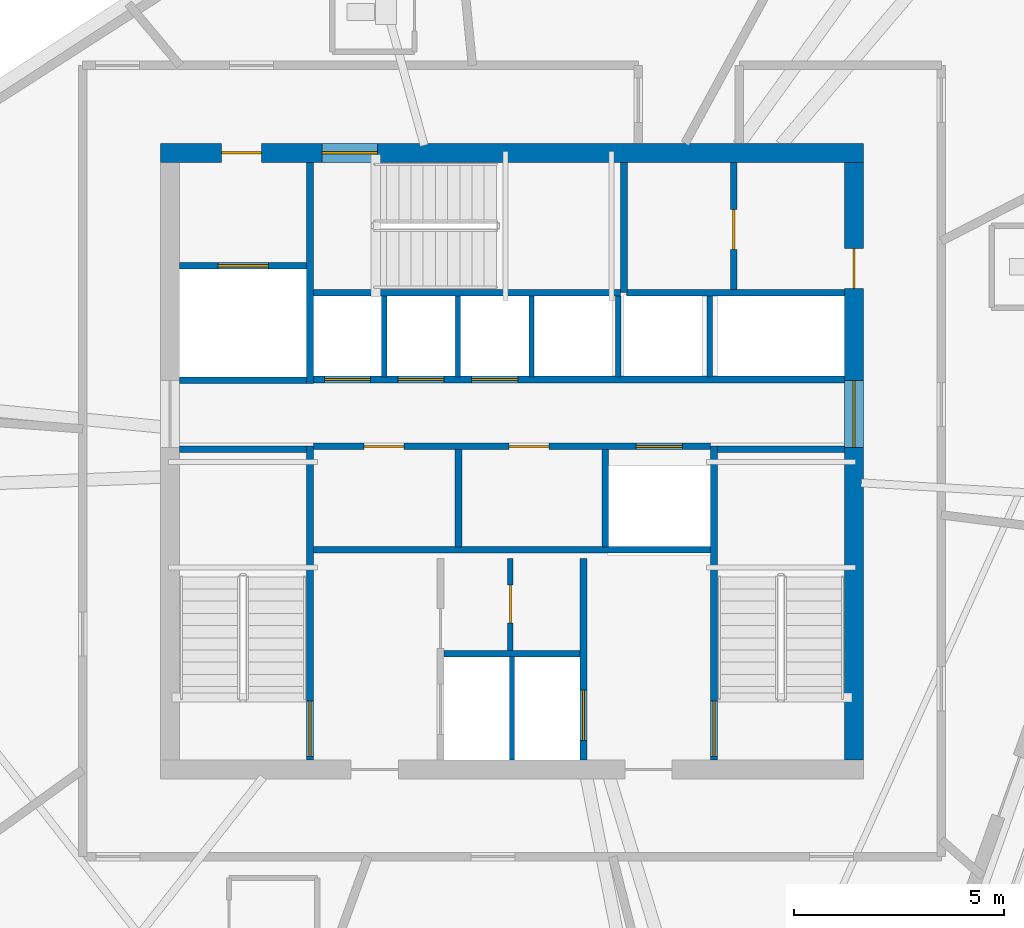
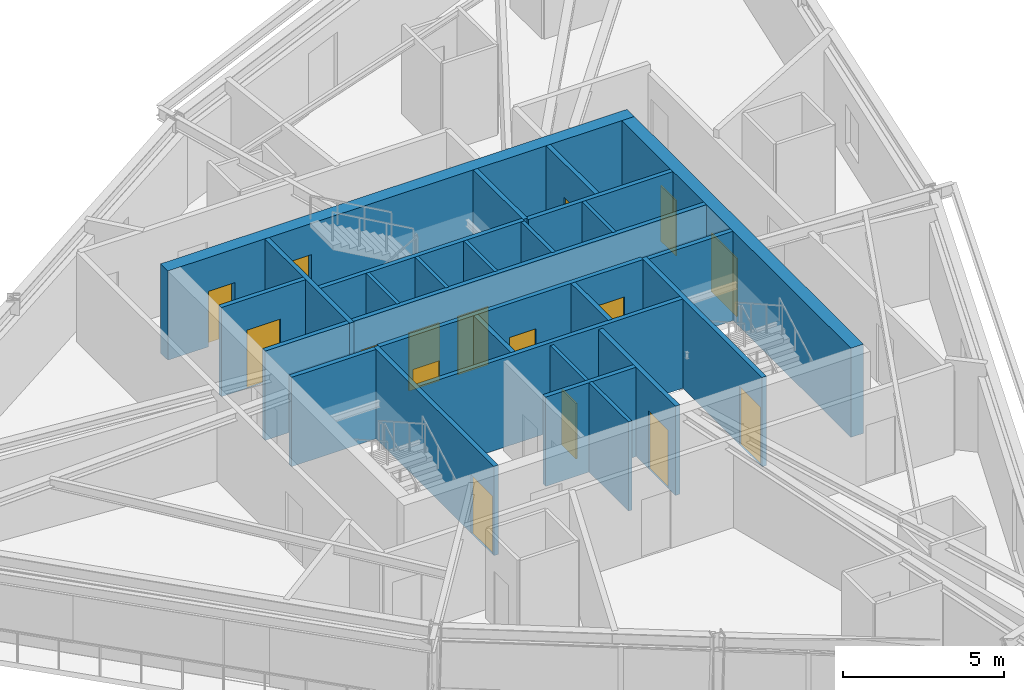
# One storey, part 9 of 15: 27 walls, 16 doors, 16 openings.
"""IFC4 building model written with IfcOpenShell, lengths in metres."""

from ifc_helpers import new_model, si_unit, direction, frame, frame_2d, origin, place, context, subcontext, project, spatial, rectangle, extrude, source, transform, mapped, material, layer, layer_set, type_object, type_shapes, element, fill, save


model = new_model("IFC4")

# Units and contexts
model_context = context("Model", 3, precision=1e-05, world=origin(), true_north=direction((0.0, 1.0)))
body_context = subcontext(model_context, "Body", "Model", "MODEL_VIEW")
ifc_project = project(units=[si_unit("LENGTHUNIT", "METRE"), si_unit("AREAUNIT", "SQUARE_METRE"), si_unit("VOLUMEUNIT", "CUBIC_METRE"), si_unit("PLANEANGLEUNIT", "RADIAN"), si_unit("MASSUNIT", "GRAM", prefix="KILO")], contexts=[model_context])

# Site, building, storey
site_placement = place(None, origin())
site = spatial("IfcSite", under=ifc_project, at=site_placement, CompositionType="ELEMENT")
building_placement = place(site_placement, origin())
building = spatial("IfcBuilding", under=site, at=building_placement, Name="Olszyna Solenne Hotel", CompositionType="ELEMENT")
storey_placement = place(building_placement, frame((0.0, 0.0, 245.300048828125)))
storey = spatial("IfcBuildingStorey", under=building, at=storey_placement, Name="L65", CompositionType="ELEMENT", Elevation=245.300048828125)

# Wall, openings, doors
ifc_material_1 = material(Name="Concrete C50/60", Category="concrete")
ifc_layer_1 = layer(ifc_material_1, 0.449951171875, Name="Concrete C50/60")
ifc_layer_set_1 = layer_set([ifc_layer_1], Name="Concrete C50/60")
wall_type_1 = type_object("IfcWallType", Name="WL-CR450", PredefinedType="SHEAR", material=ifc_layer_set_1)
wall_1_placement = place(storey_placement, frame((29.64990234375, 33.925048828125, 0.0), z_axis=(0.0, 0.0, 1.0), x_axis=(1.0, 0.0, 0.0)))
wall_1 = element("IfcWall", 1, at=wall_1_placement, inside=storey, type_object=wall_type_1, Name="Core shear wall WL-CR450 CRW-L65-N", PredefinedType="SHEAR", context=body_context, shape_type="SweptSolid", body=[
    extrude(rectangle(XDim=16.7001953125, YDim=0.449951171875, at=frame_2d((8.35009765625, 0.0))), origin(), (0.0, 0.0, 1.0), 3.3798828125),
])
opening_1_placement = place(wall_1_placement, frame((1.449951171875, 0.0, 0.0)))
opening_1 = element("IfcOpeningElement", 2, at=opening_1_placement, cuts=wall_1, Name="Opening SVD-L65-01", PredefinedType="OPENING", context=body_context, shape_type="SweptSolid", body=[
    extrude(rectangle(XDim=0.949951171875, YDim=2.10009765625, at=frame_2d((0.47509765625, 1.050048828125))), frame((0.0, 0.23486328125, 0.0), z_axis=(0.0, -1.0, 0.0), x_axis=(1.0, 0.0, 0.0)), (0.0, 0.0, 1.0), 0.469970703125),
])
opening_2_placement = place(wall_1_placement, frame((3.830078125, 0.0, 0.0)))
opening_2 = element("IfcOpeningElement", 3, at=opening_2_placement, cuts=wall_1, Name="Opening STD-L65-03", PredefinedType="OPENING", context=body_context, shape_type="SweptSolid", body=[
    extrude(rectangle(XDim=1.320068359375, YDim=2.199951171875, at=frame_2d((0.66015625, 1.10009765625))), frame((0.0, 0.23486328125, 0.0), z_axis=(0.0, -1.0, 0.0), x_axis=(1.0, 0.0, 0.0)), (0.0, 0.0, 1.0), 0.469970703125),
])
ifc_material_2 = material(Name="Steel S355J2", Category="steel")
door_type_1 = type_object("IfcDoorType", Name="DR-ST1", OperationType="NOTDEFINED", PredefinedType="DOOR", material=ifc_material_2)
shared_shape_1 = source(origin(), body_context, "Body", "SweptSolid", [
    extrude(rectangle(XDim=1.320068359375, YDim=2.199951171875, at=frame_2d((0.66015625, 1.10009765625))), frame((0.0, 0.02490234375, 0.0), z_axis=(0.0, -1.0, 0.0), x_axis=(1.0, 0.0, 0.0)), (0.0, 0.0, 1.0), 0.050048828125),
])
type_shapes(door_type_1, [shared_shape_1])
door_1_placement = place(opening_2_placement, origin())
door_1 = element("IfcDoor", 4, at=door_1_placement, inside=storey, type_object=door_type_1, Name="Pressurised exit stair ST3 fire door STD-L65-03", OperationType="SINGLE_SWING_RIGHT", OverallHeight=2.199951171875, OverallWidth=1.320068359375, PredefinedType="DOOR", context=body_context, shape_type="MappedRepresentation", body=[
    mapped(shared_shape_1, transform((0.0, 0.0, 0.0), x_axis=(1.0, 0.0, 0.0), y_axis=(0.0, 1.0, 0.0), z_axis=(0.0, 0.0, 1.0), scale=1.0)),
])
fill(opening_2, door_1)
door_type_2 = type_object("IfcDoorType", Name="DR-SV1", OperationType="NOTDEFINED", PredefinedType="DOOR", material=ifc_material_2)
shared_shape_2 = source(origin(), body_context, "Body", "SweptSolid", [
    extrude(rectangle(XDim=0.949951171875, YDim=2.10009765625, at=frame_2d((0.47509765625, 1.050048828125))), frame((0.0, 0.02490234375, 0.0), z_axis=(0.0, -1.0, 0.0), x_axis=(1.0, 0.0, 0.0)), (0.0, 0.0, 1.0), 0.050048828125),
])
type_shapes(door_type_2, [shared_shape_2])
door_2_placement = place(opening_1_placement, origin())
door_2 = element("IfcDoor", 5, at=door_2_placement, inside=storey, type_object=door_type_2, Name="Service lift lobby fire door SVD-L65-01", OperationType="SINGLE_SWING_LEFT", OverallHeight=2.10009765625, OverallWidth=0.949951171875, PredefinedType="DOOR", context=body_context, shape_type="MappedRepresentation", body=[
    mapped(shared_shape_2, transform((0.0, 0.0, 0.0), x_axis=(1.0, 0.0, 0.0), y_axis=(0.0, 1.0, 0.0), z_axis=(0.0, 0.0, 1.0), scale=1.0)),
])
fill(opening_1, door_2)

wall_2_placement = place(storey_placement, frame((46.125, 33.699951171875, 0.0), z_axis=(0.0, 0.0, 1.0), x_axis=(0.0, -1.0, 0.0)))
wall_2 = element("IfcWall", 6, at=wall_2_placement, inside=storey, type_object=wall_type_1, Name="Core shear wall WL-CR450 CRW-L65-E", PredefinedType="SHEAR", context=body_context, shape_type="SweptSolid", body=[
    extrude(rectangle(XDim=14.199951171875, YDim=0.449951171875, at=frame_2d((7.10009765625, 0.0))), origin(), (0.0, 0.0, 1.0), 3.3798828125),
])
opening_3_placement = place(wall_2_placement, frame((5.179931640625, 0.0, 0.0)))
opening_3 = element("IfcOpeningElement", 7, at=opening_3_placement, cuts=wall_2, Name="Opening LHD-L65-E", PredefinedType="OPENING", context=body_context, shape_type="SweptSolid", body=[
    extrude(rectangle(XDim=1.60009765625, YDim=2.199951171875, at=frame_2d((0.800048828125, 1.10009765625))), frame((0.0, 0.23486328125, 0.0), z_axis=(0.0, -1.0, 0.0), x_axis=(1.0, 0.0, 0.0)), (0.0, 0.0, 1.0), 0.469970703125),
])
opening_4_placement = place(wall_2_placement, frame((2.050048828125, 0.0, 0.0)))
opening_4 = element("IfcOpeningElement", 8, at=opening_4_placement, cuts=wall_2, Name="Opening SVD-L65-BE", PredefinedType="OPENING", context=body_context, shape_type="SweptSolid", body=[
    extrude(rectangle(XDim=0.949951171875, YDim=2.10009765625, at=frame_2d((0.47509765625, 1.050048828125))), frame((0.0, 0.23486328125, 0.0), z_axis=(0.0, -1.0, 0.0), x_axis=(1.0, 0.0, 0.0)), (0.0, 0.0, 1.0), 0.469970703125),
])
door_3_placement = place(opening_4_placement, origin())
door_3 = element("IfcDoor", 9, at=door_3_placement, inside=storey, type_object=door_type_2, Name="Housekeeping core fire door SVD-L65-BE", OperationType="SINGLE_SWING_RIGHT", OverallHeight=2.10009765625, OverallWidth=0.949951171875, PredefinedType="DOOR", context=body_context, shape_type="MappedRepresentation", body=[
    mapped(shared_shape_2, transform((0.0, 0.0, 0.0), x_axis=(1.0, 0.0, 0.0), y_axis=(0.0, 1.0, 0.0), z_axis=(0.0, 0.0, 1.0), scale=1.0)),
])
fill(opening_4, door_3)
ifc_material_3 = material(Name="Timber hardwood", Category="wood")
door_type_3 = type_object("IfcDoorType", Name="DR-CR1", OperationType="DOUBLE_DOOR_SINGLE_SWING", PredefinedType="DOOR", material=ifc_material_3)
shared_shape_3 = source(origin(), body_context, "Body", "SweptSolid", [
    extrude(rectangle(XDim=1.60009765625, YDim=2.199951171875, at=frame_2d((0.800048828125, 1.10009765625))), frame((0.0, 0.02490234375, 0.0), z_axis=(0.0, -1.0, 0.0), x_axis=(1.0, 0.0, 0.0)), (0.0, 0.0, 1.0), 0.050048828125),
])
type_shapes(door_type_3, [shared_shape_3])
door_4_placement = place(opening_3_placement, origin())
door_4 = element("IfcDoor", 10, at=door_4_placement, inside=storey, type_object=door_type_3, Name="Passenger lift lobby East fire door LHD-L65-E", OperationType="DOUBLE_DOOR_SINGLE_SWING", OverallHeight=2.199951171875, OverallWidth=1.60009765625, PredefinedType="DOOR", context=body_context, shape_type="MappedRepresentation", body=[
    mapped(shared_shape_3, transform((0.0, 0.0, 0.0), x_axis=(1.0, 0.0, 0.0), y_axis=(0.0, 1.0, 0.0), z_axis=(0.0, 0.0, 1.0), scale=1.0)),
])
fill(opening_3, door_4)

# Wall
ifc_material_4 = material(Name="Acoustic gypsum partition", Category="gypsum")
ifc_layer_2 = layer(ifc_material_4, 0.125, Name="Acoustic gypsum partition")
ifc_layer_set_2 = layer_set([ifc_layer_2], Name="Acoustic gypsum partition")
wall_type_2 = type_object("IfcWallType", Name="WL-PT125", PredefinedType="PARTITIONING", material=ifc_layer_set_2)
wall_3_placement = place(storey_placement, frame((38.0, 19.5, 0.0), z_axis=(0.0, 0.0, 1.0), x_axis=(0.0, 1.0, 0.0)))
element("IfcWall", 11, at=wall_3_placement, inside=storey, type_object=wall_type_2, Name="Core shaft compartment wall CW-L65-FFM", PredefinedType="PARTITIONING", context=body_context, shape_type="SweptSolid", body=[
    extrude(rectangle(XDim=2.4599609375, YDim=0.125, at=frame_2d((1.22998046875, 0.0))), origin(), (0.0, 0.0, 1.0), 3.3798828125),
])

# Wall, opening, door
wall_4_placement = place(storey_placement, frame((37.9599609375, 22.10009765625, 0.0), z_axis=(0.0, 0.0, 1.0), x_axis=(0.0, 1.0, 0.0)))
wall_4 = element("IfcWall", 12, at=wall_4_placement, inside=storey, type_object=wall_type_2, Name="Core shaft compartment wall CW-L65-SC1", PredefinedType="PARTITIONING", context=body_context, shape_type="SweptSolid", body=[
    extrude(rectangle(XDim=2.179931640625, YDim=0.125, at=frame_2d((1.08984375, 0.0))), origin(), (0.0, 0.0, 1.0), 3.3798828125),
])
opening_5_placement = place(wall_4_placement, frame((0.64990234375, 0.0, 0.0)))
opening_5 = element("IfcOpeningElement", 13, at=opening_5_placement, cuts=wall_4, Name="Opening SVD-L65-SC1", PredefinedType="OPENING", context=body_context, shape_type="SweptSolid", body=[
    extrude(rectangle(XDim=0.89990234375, YDim=2.10009765625, at=frame_2d((0.449951171875, 1.050048828125))), frame((0.0, 0.072509765625, 0.0), z_axis=(0.0, -1.0, 0.0), x_axis=(1.0, 0.0, 0.0)), (0.0, 0.0, 1.0), 0.14501953125),
])
door_type_4 = type_object("IfcDoorType", Name="DR-WC1", OperationType="NOTDEFINED", PredefinedType="DOOR", material=ifc_material_3)
shared_shape_4 = source(origin(), body_context, "Body", "SweptSolid", [
    extrude(rectangle(XDim=0.89990234375, YDim=2.10009765625, at=frame_2d((0.449951171875, 1.050048828125))), frame((0.0, 0.02490234375, 0.0), z_axis=(0.0, -1.0, 0.0), x_axis=(1.0, 0.0, 0.0)), (0.0, 0.0, 1.0), 0.050048828125),
])
type_shapes(door_type_4, [shared_shape_4])
door_5_placement = place(opening_5_placement, origin())
door_5 = element("IfcDoor", 14, at=door_5_placement, inside=storey, type_object=door_type_4, Name="Pantry locker door SVD-L65-SC1", OperationType="SINGLE_SWING_LEFT", OverallHeight=2.10009765625, OverallWidth=0.89990234375, PredefinedType="DOOR", context=body_context, shape_type="MappedRepresentation", body=[
    mapped(shared_shape_4, transform((0.0, 0.0, 0.0), x_axis=(1.0, 0.0, 0.0), y_axis=(0.0, 1.0, 0.0), z_axis=(0.0, 0.0, 1.0), scale=1.0)),
])
fill(opening_5, door_5)

# Walls
for number, where, z_axis, x_axis, name in (
    (15, (34.965087890625, 28.60009765625, 0.0), (0.0, 0.0, 1.0), (0.0, 1.0, 0.0), "Core shaft compartment wall CW-L65-DIVN349"),
    (16, (36.715087890625, 28.60009765625, 0.0), (0.0, 0.0, 1.0), (0.0, 1.0, 0.0), "Core shaft compartment wall CW-L65-DIVN367"),
    (17, (38.465087890625, 28.60009765625, 0.0), (0.0, 0.0, 1.0), (0.0, 1.0, 0.0), "Core shaft compartment wall CW-L65-DIVN384"),
    (18, (40.52490234375, 28.60009765625, 0.0), (0.0, 0.0, 1.0), (0.0, 1.0, 0.0), "Core shaft compartment wall CW-L65-DIVEX405"),
    (19, (42.699951171875, 28.60009765625, 0.0), (0.0, 0.0, 1.0), (0.0, 1.0, 0.0), "Core shaft compartment wall CW-L65-DIVEX427"),
):
    element("IfcWall", number, at=place(storey_placement, frame(where, z_axis=z_axis, x_axis=x_axis)), inside=storey, type_object=wall_type_2, Name=name, PredefinedType="PARTITIONING", context=body_context, shape_type="SweptSolid", body=[
        extrude(rectangle(XDim=1.919921875, YDim=0.125, at=frame_2d((0.9599609375, 0.0))), origin(), (0.0, 0.0, 1.0), 3.3798828125),
    ])

# Wall, opening, door
ifc_layer_3 = layer(ifc_material_4, 0.159912109375, Name="Acoustic gypsum partition")
ifc_layer_set_3 = layer_set([ifc_layer_3], Name="Acoustic gypsum partition")
wall_type_3 = type_object("IfcWallType", Name="WL-PT160", PredefinedType="PARTITIONING", material=ifc_layer_set_3)
wall_5_placement = place(storey_placement, frame((33.199951171875, 19.5, 0.0), z_axis=(0.0, 0.0, 1.0), x_axis=(0.0, 1.0, 0.0)))
wall_5 = element("IfcWall", 20, at=wall_5_placement, inside=storey, type_object=wall_type_3, Name="Core shaft compartment wall CW-L65-ST1E", PredefinedType="PARTITIONING", context=body_context, shape_type="SweptSolid", body=[
    extrude(rectangle(XDim=7.4599609375, YDim=0.159912109375, at=frame_2d((3.72998046875, 0.0))), origin(), (0.0, 0.0, 1.0), 3.3798828125),
])
opening_6_placement = place(wall_5_placement, frame((0.080078125, 0.0, 0.0)))
opening_6 = element("IfcOpeningElement", 21, at=opening_6_placement, cuts=wall_5, Name="Opening STD-L65-01", PredefinedType="OPENING", context=body_context, shape_type="SweptSolid", body=[
    extrude(rectangle(XDim=1.320068359375, YDim=2.199951171875, at=frame_2d((0.66015625, 1.10009765625))), frame((0.0, 0.08984375, 0.0), z_axis=(0.0, -1.0, 0.0), x_axis=(1.0, 0.0, 0.0)), (0.0, 0.0, 1.0), 0.179931640625),
])
door_6_placement = place(opening_6_placement, origin())
door_6 = element("IfcDoor", 22, at=door_6_placement, inside=storey, type_object=door_type_1, Name="Pressurised exit stair ST1 fire door STD-L65-01", OperationType="SINGLE_SWING_LEFT", OverallHeight=2.199951171875, OverallWidth=1.320068359375, PredefinedType="DOOR", context=body_context, shape_type="MappedRepresentation", body=[
    mapped(shared_shape_1, transform((0.0, 0.0, 0.0), x_axis=(1.0, 0.0, 0.0), y_axis=(0.0, 1.0, 0.0), z_axis=(0.0, 0.0, 1.0), scale=1.0)),
])
fill(opening_6, door_6)

# Wall
wall_6_placement = place(storey_placement, frame((30.10009765625, 26.8798828125, 0.0), z_axis=(0.0, 0.0, 1.0), x_axis=(1.0, 0.0, 0.0)))
element("IfcWall", 23, at=wall_6_placement, inside=storey, type_object=wall_type_3, Name="Core shaft compartment wall CW-L65-ST1N", PredefinedType="PARTITIONING", context=body_context, shape_type="SweptSolid", body=[
    extrude(rectangle(XDim=3.02001953125, YDim=0.159912109375, at=frame_2d((1.510009765625, 0.0))), origin(), (0.0, 0.0, 1.0), 3.3798828125),
])

# Wall, opening, door
wall_7_placement = place(storey_placement, frame((42.800048828125, 26.9599609375, 0.0), z_axis=(0.0, 0.0, 1.0), x_axis=(0.0, -1.0, 0.0)))
wall_7 = element("IfcWall", 24, at=wall_7_placement, inside=storey, type_object=wall_type_3, Name="Core shaft compartment wall CW-L65-ST2W", PredefinedType="PARTITIONING", context=body_context, shape_type="SweptSolid", body=[
    extrude(rectangle(XDim=7.4599609375, YDim=0.159912109375, at=frame_2d((3.72998046875, 0.0))), origin(), (0.0, 0.0, 1.0), 3.3798828125),
])
opening_7_placement = place(wall_7_placement, frame((6.06005859375, 0.0, 0.0)))
opening_7 = element("IfcOpeningElement", 25, at=opening_7_placement, cuts=wall_7, Name="Opening STD-L65-02", PredefinedType="OPENING", context=body_context, shape_type="SweptSolid", body=[
    extrude(rectangle(XDim=1.320068359375, YDim=2.199951171875, at=frame_2d((0.66015625, 1.10009765625))), frame((0.0, 0.08984375, 0.0), z_axis=(0.0, -1.0, 0.0), x_axis=(1.0, 0.0, 0.0)), (0.0, 0.0, 1.0), 0.179931640625),
])
door_7_placement = place(opening_7_placement, origin())
door_7 = element("IfcDoor", 26, at=door_7_placement, inside=storey, type_object=door_type_1, Name="Pressurised exit stair ST2 fire door STD-L65-02", OperationType="SINGLE_SWING_RIGHT", OverallHeight=2.199951171875, OverallWidth=1.320068359375, PredefinedType="DOOR", context=body_context, shape_type="MappedRepresentation", body=[
    mapped(shared_shape_1, transform((0.0, 0.0, 0.0), x_axis=(1.0, 0.0, 0.0), y_axis=(0.0, 1.0, 0.0), z_axis=(0.0, 0.0, 1.0), scale=1.0)),
])
fill(opening_7, door_7)

# Walls
wall_8_placement = place(storey_placement, frame((42.8798828125, 26.8798828125, 0.0), z_axis=(0.0, 0.0, 1.0), x_axis=(1.0, 0.0, 0.0)))
element("IfcWall", 27, at=wall_8_placement, inside=storey, type_object=wall_type_3, Name="Core shaft compartment wall CW-L65-ST2N", PredefinedType="PARTITIONING", context=body_context, shape_type="SweptSolid", body=[
    extrude(rectangle(XDim=3.02001953125, YDim=0.159912109375, at=frame_2d((1.510009765625, 0.0))), origin(), (0.0, 0.0, 1.0), 3.3798828125),
])
wall_9_placement = place(storey_placement, frame((33.280029296875, 30.60009765625, 0.0), z_axis=(0.0, 0.0, 1.0), x_axis=(1.0, 0.0, 0.0)))
element("IfcWall", 28, at=wall_9_placement, inside=storey, type_object=wall_type_3, Name="Core shaft compartment wall CW-L65-ST3S", PredefinedType="PARTITIONING", context=body_context, shape_type="SweptSolid", body=[
    extrude(rectangle(XDim=7.300048828125, YDim=0.159912109375, at=frame_2d((3.64990234375, 0.0))), origin(), (0.0, 0.0, 1.0), 3.3798828125),
])
wall_10_placement = place(storey_placement, frame((40.659912109375, 30.60009765625, 0.0), z_axis=(0.0, 0.0, 1.0), x_axis=(0.0, 1.0, 0.0)))
element("IfcWall", 29, at=wall_10_placement, inside=storey, type_object=wall_type_3, Name="Core shaft compartment wall CW-L65-ST3E", PredefinedType="PARTITIONING", context=body_context, shape_type="SweptSolid", body=[
    extrude(rectangle(XDim=3.099853515625, YDim=0.159912109375, at=frame_2d((1.5498046875, 0.0))), origin(), (0.0, 0.0, 1.0), 3.3798828125),
])

# Wall, opening, door
wall_11_placement = place(storey_placement, frame((39.699951171875, 24.280029296875, 0.0), z_axis=(0.0, 0.0, 1.0), x_axis=(0.0, -1.0, 0.0)))
wall_11 = element("IfcWall", 30, at=wall_11_placement, inside=storey, type_object=wall_type_3, Name="Core shaft compartment wall CW-L65-FF2E", PredefinedType="PARTITIONING", context=body_context, shape_type="SweptSolid", body=[
    extrude(rectangle(XDim=4.780029296875, YDim=0.159912109375, at=frame_2d((2.39013671875, 0.0))), origin(), (0.0, 0.0, 1.0), 3.3798828125),
])
opening_8_placement = place(wall_11_placement, frame((3.1201171875, 0.0, 0.0)))
opening_8 = element("IfcOpeningElement", 31, at=opening_8_placement, cuts=wall_11, Name="Opening LD-L65-FF2", PredefinedType="OPENING", context=body_context, shape_type="SweptSolid", body=[
    extrude(rectangle(XDim=1.199951171875, YDim=2.199951171875, at=frame_2d((0.60009765625, 1.10009765625))), frame((0.0, 0.08984375, 0.0), z_axis=(0.0, -1.0, 0.0), x_axis=(1.0, 0.0, 0.0)), (0.0, 0.0, 1.0), 0.179931640625),
])
door_type_5 = type_object("IfcDoorType", Name="LD-FF1", OperationType="DOUBLE_DOOR_SLIDING", PredefinedType="DOOR", material=ifc_material_2)
shared_shape_5 = source(origin(), body_context, "Body", "SweptSolid", [
    extrude(rectangle(XDim=1.199951171875, YDim=2.199951171875, at=frame_2d((0.60009765625, 1.10009765625))), frame((0.0, 0.02490234375, 0.0), z_axis=(0.0, -1.0, 0.0), x_axis=(1.0, 0.0, 0.0)), (0.0, 0.0, 1.0), 0.050048828125),
])
type_shapes(door_type_5, [shared_shape_5])
door_8_placement = place(opening_8_placement, origin())
door_8 = element("IfcDoor", 32, at=door_8_placement, inside=storey, type_object=door_type_5, Name="Firefighters lift FF2 sliding landing door LD-L65-FF2", OperationType="DOUBLE_DOOR_SLIDING", OverallHeight=2.199951171875, OverallWidth=1.199951171875, PredefinedType="DOOR", context=body_context, shape_type="MappedRepresentation", body=[
    mapped(shared_shape_5, transform((0.0, 0.0, 0.0), x_axis=(1.0, 0.0, 0.0), y_axis=(0.0, 1.0, 0.0), z_axis=(0.0, 0.0, 1.0), scale=1.0)),
])
fill(opening_8, door_8)

# Walls
wall_12_placement = place(storey_placement, frame((36.3798828125, 22.02001953125, 0.0), z_axis=(0.0, 0.0, 1.0), x_axis=(1.0, 0.0, 0.0)))
element("IfcWall", 33, at=wall_12_placement, inside=storey, type_object=wall_type_3, Name="Core shaft compartment wall CW-L65-FFN", PredefinedType="PARTITIONING", context=body_context, shape_type="SweptSolid", body=[
    extrude(rectangle(XDim=3.240234375, YDim=0.159912109375, at=frame_2d((1.6201171875, 0.0))), origin(), (0.0, 0.0, 1.0), 3.3798828125),
])
wall_13_placement = place(storey_placement, frame((33.280029296875, 24.489990234375, 0.0), z_axis=(0.0, 0.0, 1.0), x_axis=(1.0, 0.0, 0.0)))
element("IfcWall", 34, at=wall_13_placement, inside=storey, type_object=wall_type_3, Name="Core shaft compartment wall CW-L65-FFBN", PredefinedType="PARTITIONING", context=body_context, shape_type="SweptSolid", body=[
    extrude(rectangle(XDim=9.43994140625, YDim=0.159912109375, at=frame_2d((4.719970703125, 0.0))), origin(), (0.0, 0.0, 1.0), 3.3798828125),
])
wall_14_placement = place(storey_placement, frame((30.10009765625, 28.52001953125, 0.0), z_axis=(0.0, 0.0, 1.0), x_axis=(1.0, 0.0, 0.0)))
element("IfcWall", 35, at=wall_14_placement, inside=storey, type_object=wall_type_3, Name="Core shaft compartment wall CW-L65-SV1S", PredefinedType="PARTITIONING", context=body_context, shape_type="SweptSolid", body=[
    extrude(rectangle(XDim=3.02001953125, YDim=0.159912109375, at=frame_2d((1.510009765625, 0.0))), origin(), (0.0, 0.0, 1.0), 3.3798828125),
])
wall_15_placement = place(storey_placement, frame((33.199951171875, 28.43994140625, 0.0), z_axis=(0.0, 0.0, 1.0), x_axis=(0.0, 1.0, 0.0)))
element("IfcWall", 36, at=wall_15_placement, inside=storey, type_object=wall_type_3, Name="Core shaft compartment wall CW-L65-SV1E", PredefinedType="PARTITIONING", context=body_context, shape_type="SweptSolid", body=[
    extrude(rectangle(XDim=5.260009765625, YDim=0.159912109375, at=frame_2d((2.6298828125, 0.0))), origin(), (0.0, 0.0, 1.0), 3.3798828125),
])

# Wall, opening, door
wall_16_placement = place(storey_placement, frame((30.10009765625, 31.239990234375, 0.0), z_axis=(0.0, 0.0, 1.0), x_axis=(1.0, 0.0, 0.0)))
wall_16 = element("IfcWall", 37, at=wall_16_placement, inside=storey, type_object=wall_type_3, Name="Core shaft compartment wall CW-L65-SV1N", PredefinedType="PARTITIONING", context=body_context, shape_type="SweptSolid", body=[
    extrude(rectangle(XDim=3.02001953125, YDim=0.159912109375, at=frame_2d((1.510009765625, 0.0))), origin(), (0.0, 0.0, 1.0), 3.3798828125),
])
opening_9_placement = place(wall_16_placement, frame((0.909912109375, 0.0, 0.0)))
opening_9 = element("IfcOpeningElement", 38, at=opening_9_placement, cuts=wall_16, Name="Opening LD-L65-SV1", PredefinedType="OPENING", context=body_context, shape_type="SweptSolid", body=[
    extrude(rectangle(XDim=1.199951171875, YDim=2.199951171875, at=frame_2d((0.60009765625, 1.10009765625))), frame((0.0, 0.08984375, 0.0), z_axis=(0.0, -1.0, 0.0), x_axis=(1.0, 0.0, 0.0)), (0.0, 0.0, 1.0), 0.179931640625),
])
door_9_placement = place(opening_9_placement, origin())
door_9 = element("IfcDoor", 39, at=door_9_placement, inside=storey, type_object=door_type_5, Name="Service lift SV1 sliding landing door LD-L65-SV1", OperationType="DOUBLE_DOOR_SLIDING", OverallHeight=2.199951171875, OverallWidth=1.199951171875, PredefinedType="DOOR", context=body_context, shape_type="MappedRepresentation", body=[
    mapped(shared_shape_5, transform((0.0, 0.0, 0.0), x_axis=(1.0, 0.0, 0.0), y_axis=(0.0, 1.0, 0.0), z_axis=(0.0, 0.0, 1.0), scale=1.0)),
])
fill(opening_9, door_9)

# Wall, openings, doors
wall_17_placement = place(storey_placement, frame((33.280029296875, 26.949951171875, 0.0), z_axis=(0.0, 0.0, 1.0), x_axis=(1.0, 0.0, 0.0)))
wall_17 = element("IfcWall", 40, at=wall_17_placement, inside=storey, type_object=wall_type_3, Name="Core shaft compartment wall CW-L65-LRS", PredefinedType="PARTITIONING", context=body_context, shape_type="SweptSolid", body=[
    extrude(rectangle(XDim=9.43994140625, YDim=0.159912109375, at=frame_2d((4.719970703125, 0.0))), origin(), (0.0, 0.0, 1.0), 3.3798828125),
])
opening_10_placement = place(wall_17_placement, frame((1.199951171875, 0.0, 0.0)))
opening_10 = element("IfcOpeningElement", 41, at=opening_10_placement, cuts=wall_17, Name="Opening SVD-L65-L71", PredefinedType="OPENING", context=body_context, shape_type="SweptSolid", body=[
    extrude(rectangle(XDim=0.949951171875, YDim=2.10009765625, at=frame_2d((0.47509765625, 1.050048828125))), frame((0.0, 0.08984375, 0.0), z_axis=(0.0, -1.0, 0.0), x_axis=(1.0, 0.0, 0.0)), (0.0, 0.0, 1.0), 0.179931640625),
])
opening_11_placement = place(wall_17_placement, frame((4.64990234375, 0.0, 0.0)))
opening_11 = element("IfcOpeningElement", 42, at=opening_11_placement, cuts=wall_17, Name="Opening SVD-L65-L72", PredefinedType="OPENING", context=body_context, shape_type="SweptSolid", body=[
    extrude(rectangle(XDim=0.949951171875, YDim=2.10009765625, at=frame_2d((0.47509765625, 1.050048828125))), frame((0.0, 0.08984375, 0.0), z_axis=(0.0, -1.0, 0.0), x_axis=(1.0, 0.0, 0.0)), (0.0, 0.0, 1.0), 0.179931640625),
])
opening_12_placement = place(wall_17_placement, frame((7.669921875, 0.0, 0.0)))
opening_12 = element("IfcOpeningElement", 43, at=opening_12_placement, cuts=wall_17, Name="Opening LD-L65-PL5", PredefinedType="OPENING", context=body_context, shape_type="SweptSolid", body=[
    extrude(rectangle(XDim=1.10009765625, YDim=2.199951171875, at=frame_2d((0.550048828125, 1.10009765625))), frame((0.0, 0.08984375, 0.0), z_axis=(0.0, -1.0, 0.0), x_axis=(1.0, 0.0, 0.0)), (0.0, 0.0, 1.0), 0.179931640625),
])
door_10_placement = place(opening_10_placement, origin())
door_10 = element("IfcDoor", 44, at=door_10_placement, inside=storey, type_object=door_type_2, Name="Recaptured core room fire door SVD-L65-L71", OperationType="SINGLE_SWING_LEFT", OverallHeight=2.10009765625, OverallWidth=0.949951171875, PredefinedType="DOOR", context=body_context, shape_type="MappedRepresentation", body=[
    mapped(shared_shape_2, transform((0.0, 0.0, 0.0), x_axis=(1.0, 0.0, 0.0), y_axis=(0.0, 1.0, 0.0), z_axis=(0.0, 0.0, 1.0), scale=1.0)),
])
fill(opening_10, door_10)
door_11_placement = place(opening_11_placement, origin())
door_11 = element("IfcDoor", 45, at=door_11_placement, inside=storey, type_object=door_type_2, Name="Recaptured core room fire door SVD-L65-L72", OperationType="SINGLE_SWING_RIGHT", OverallHeight=2.10009765625, OverallWidth=0.949951171875, PredefinedType="DOOR", context=body_context, shape_type="MappedRepresentation", body=[
    mapped(shared_shape_2, transform((0.0, 0.0, 0.0), x_axis=(1.0, 0.0, 0.0), y_axis=(0.0, 1.0, 0.0), z_axis=(0.0, 0.0, 1.0), scale=1.0)),
])
fill(opening_11, door_11)
door_type_6 = type_object("IfcDoorType", Name="LD-P1", OperationType="DOUBLE_DOOR_SLIDING", PredefinedType="DOOR", material=ifc_material_2)
shared_shape_6 = source(origin(), body_context, "Body", "SweptSolid", [
    extrude(rectangle(XDim=1.10009765625, YDim=2.199951171875, at=frame_2d((0.550048828125, 1.10009765625))), frame((0.0, 0.02490234375, 0.0), z_axis=(0.0, -1.0, 0.0), x_axis=(1.0, 0.0, 0.0)), (0.0, 0.0, 1.0), 0.050048828125),
])
type_shapes(door_type_6, [shared_shape_6])
door_12_placement = place(opening_12_placement, origin())
door_12 = element("IfcDoor", 46, at=door_12_placement, inside=storey, type_object=door_type_6, Name="Passenger lift PL5 sliding landing door LD-L65-PL5", OperationType="DOUBLE_DOOR_SLIDING", OverallHeight=2.199951171875, OverallWidth=1.10009765625, PredefinedType="DOOR", context=body_context, shape_type="MappedRepresentation", body=[
    mapped(shared_shape_6, transform((0.0, 0.0, 0.0), x_axis=(1.0, 0.0, 0.0), y_axis=(0.0, 1.0, 0.0), z_axis=(0.0, 0.0, 1.0), scale=1.0)),
])
fill(opening_12, door_12)

# Walls
for number, where, z_axis, x_axis, name in (
    (47, (36.72998046875, 24.56005859375, 0.0), (0.0, 0.0, 1.0), (0.0, 1.0, 0.0), "Core shaft compartment wall CW-L65-LV7DIV1"),
    (48, (40.215087890625, 24.56005859375, 0.0), (0.0, 0.0, 1.0), (0.0, 1.0, 0.0), "Core shaft compartment wall CW-L65-LV7DIV2"),
):
    element("IfcWall", number, at=place(storey_placement, frame(where, z_axis=z_axis, x_axis=x_axis)), inside=storey, type_object=wall_type_3, Name=name, PredefinedType="PARTITIONING", context=body_context, shape_type="SweptSolid", body=[
        extrude(rectangle(XDim=2.31005859375, YDim=0.159912109375, at=frame_2d((1.155029296875, 0.0))), origin(), (0.0, 0.0, 1.0), 3.3798828125),
    ])

# Wall, openings, doors
wall_18_placement = place(storey_placement, frame((33.280029296875, 28.5400390625, 0.0), z_axis=(0.0, 0.0, 1.0), x_axis=(1.0, 0.0, 0.0)))
wall_18 = element("IfcWall", 49, at=wall_18_placement, inside=storey, type_object=wall_type_3, Name="Core shaft compartment wall CW-L65-LRN", PredefinedType="PARTITIONING", context=body_context, shape_type="SweptSolid", body=[
    extrude(rectangle(XDim=12.619873046875, YDim=0.159912109375, at=frame_2d((6.31005859375, 0.0))), origin(), (0.0, 0.0, 1.0), 3.3798828125),
])
opening_13_placement = place(wall_18_placement, frame((0.260009765625, 0.0, 0.0)))
opening_13 = element("IfcOpeningElement", 50, at=opening_13_placement, cuts=wall_18, Name="Opening LD-L65-PL6", PredefinedType="OPENING", context=body_context, shape_type="SweptSolid", body=[
    extrude(rectangle(XDim=1.10009765625, YDim=2.199951171875, at=frame_2d((0.550048828125, 1.10009765625))), frame((0.0, 0.08984375, 0.0), z_axis=(0.0, -1.0, 0.0), x_axis=(1.0, 0.0, 0.0)), (0.0, 0.0, 1.0), 0.179931640625),
])
opening_14_placement = place(wall_18_placement, frame((2.010009765625, 0.0, 0.0)))
opening_14 = element("IfcOpeningElement", 51, at=opening_14_placement, cuts=wall_18, Name="Opening LD-L65-PL7", PredefinedType="OPENING", context=body_context, shape_type="SweptSolid", body=[
    extrude(rectangle(XDim=1.10009765625, YDim=2.199951171875, at=frame_2d((0.550048828125, 1.10009765625))), frame((0.0, 0.08984375, 0.0), z_axis=(0.0, -1.0, 0.0), x_axis=(1.0, 0.0, 0.0)), (0.0, 0.0, 1.0), 0.179931640625),
])
opening_15_placement = place(wall_18_placement, frame((3.760009765625, 0.0, 0.0)))
opening_15 = element("IfcOpeningElement", 52, at=opening_15_placement, cuts=wall_18, Name="Opening LD-L65-PL8", PredefinedType="OPENING", context=body_context, shape_type="SweptSolid", body=[
    extrude(rectangle(XDim=1.10009765625, YDim=2.199951171875, at=frame_2d((0.550048828125, 1.10009765625))), frame((0.0, 0.08984375, 0.0), z_axis=(0.0, -1.0, 0.0), x_axis=(1.0, 0.0, 0.0)), (0.0, 0.0, 1.0), 0.179931640625),
])
door_13_placement = place(opening_13_placement, origin())
door_13 = element("IfcDoor", 53, at=door_13_placement, inside=storey, type_object=door_type_6, Name="Passenger lift PL6 sliding landing door LD-L65-PL6", OperationType="DOUBLE_DOOR_SLIDING", OverallHeight=2.199951171875, OverallWidth=1.10009765625, PredefinedType="DOOR", context=body_context, shape_type="MappedRepresentation", body=[
    mapped(shared_shape_6, transform((0.0, 0.0, 0.0), x_axis=(1.0, 0.0, 0.0), y_axis=(0.0, 1.0, 0.0), z_axis=(0.0, 0.0, 1.0), scale=1.0)),
])
fill(opening_13, door_13)
door_14_placement = place(opening_14_placement, origin())
door_14 = element("IfcDoor", 54, at=door_14_placement, inside=storey, type_object=door_type_6, Name="Passenger lift PL7 sliding landing door LD-L65-PL7", OperationType="DOUBLE_DOOR_SLIDING", OverallHeight=2.199951171875, OverallWidth=1.10009765625, PredefinedType="DOOR", context=body_context, shape_type="MappedRepresentation", body=[
    mapped(shared_shape_6, transform((0.0, 0.0, 0.0), x_axis=(1.0, 0.0, 0.0), y_axis=(0.0, 1.0, 0.0), z_axis=(0.0, 0.0, 1.0), scale=1.0)),
])
fill(opening_14, door_14)
door_15_placement = place(opening_15_placement, origin())
door_15 = element("IfcDoor", 55, at=door_15_placement, inside=storey, type_object=door_type_6, Name="Passenger lift PL8 sliding landing door LD-L65-PL8", OperationType="DOUBLE_DOOR_SLIDING", OverallHeight=2.199951171875, OverallWidth=1.10009765625, PredefinedType="DOOR", context=body_context, shape_type="MappedRepresentation", body=[
    mapped(shared_shape_6, transform((0.0, 0.0, 0.0), x_axis=(1.0, 0.0, 0.0), y_axis=(0.0, 1.0, 0.0), z_axis=(0.0, 0.0, 1.0), scale=1.0)),
])
fill(opening_15, door_15)

# Wall
wall_19_placement = place(storey_placement, frame((40.719970703125, 30.60009765625, 0.0), z_axis=(0.0, 0.0, 1.0), x_axis=(1.0, 0.0, 0.0)))
element("IfcWall", 56, at=wall_19_placement, inside=storey, type_object=wall_type_3, Name="Core shaft compartment wall CW-L65-LRNTOP", PredefinedType="PARTITIONING", context=body_context, shape_type="SweptSolid", body=[
    extrude(rectangle(XDim=5.179931640625, YDim=0.159912109375, at=frame_2d((2.58984375, 0.0))), origin(), (0.0, 0.0, 1.0), 3.3798828125),
])

# Wall, opening, door
wall_20_placement = place(storey_placement, frame((43.27001953125, 30.679931640625, 0.0), z_axis=(0.0, 0.0, 1.0), x_axis=(0.0, 1.0, 0.0)))
wall_20 = element("IfcWall", 57, at=wall_20_placement, inside=storey, type_object=wall_type_3, Name="Core shaft compartment wall CW-L65-BOH1", PredefinedType="PARTITIONING", context=body_context, shape_type="SweptSolid", body=[
    extrude(rectangle(XDim=3.02001953125, YDim=0.159912109375, at=frame_2d((1.510009765625, 0.0))), origin(), (0.0, 0.0, 1.0), 3.3798828125),
])
opening_16_placement = place(wall_20_placement, frame((0.949951171875, 0.0, 0.0)))
opening_16 = element("IfcOpeningElement", 58, at=opening_16_placement, cuts=wall_20, Name="Opening SVD-L65-BI1", PredefinedType="OPENING", context=body_context, shape_type="SweptSolid", body=[
    extrude(rectangle(XDim=0.949951171875, YDim=2.10009765625, at=frame_2d((0.47509765625, 1.050048828125))), frame((0.0, 0.08984375, 0.0), z_axis=(0.0, -1.0, 0.0), x_axis=(1.0, 0.0, 0.0)), (0.0, 0.0, 1.0), 0.179931640625),
])
door_16_placement = place(opening_16_placement, origin())
door_16 = element("IfcDoor", 59, at=door_16_placement, inside=storey, type_object=door_type_2, Name="BOH inter-room fire door SVD-L65-BI1", OperationType="SINGLE_SWING_LEFT", OverallHeight=2.10009765625, OverallWidth=0.949951171875, PredefinedType="DOOR", context=body_context, shape_type="MappedRepresentation", body=[
    mapped(shared_shape_2, transform((0.0, 0.0, 0.0), x_axis=(1.0, 0.0, 0.0), y_axis=(0.0, 1.0, 0.0), z_axis=(0.0, 0.0, 1.0), scale=1.0)),
])
fill(opening_16, door_16)

save(model, "model.ifc")
